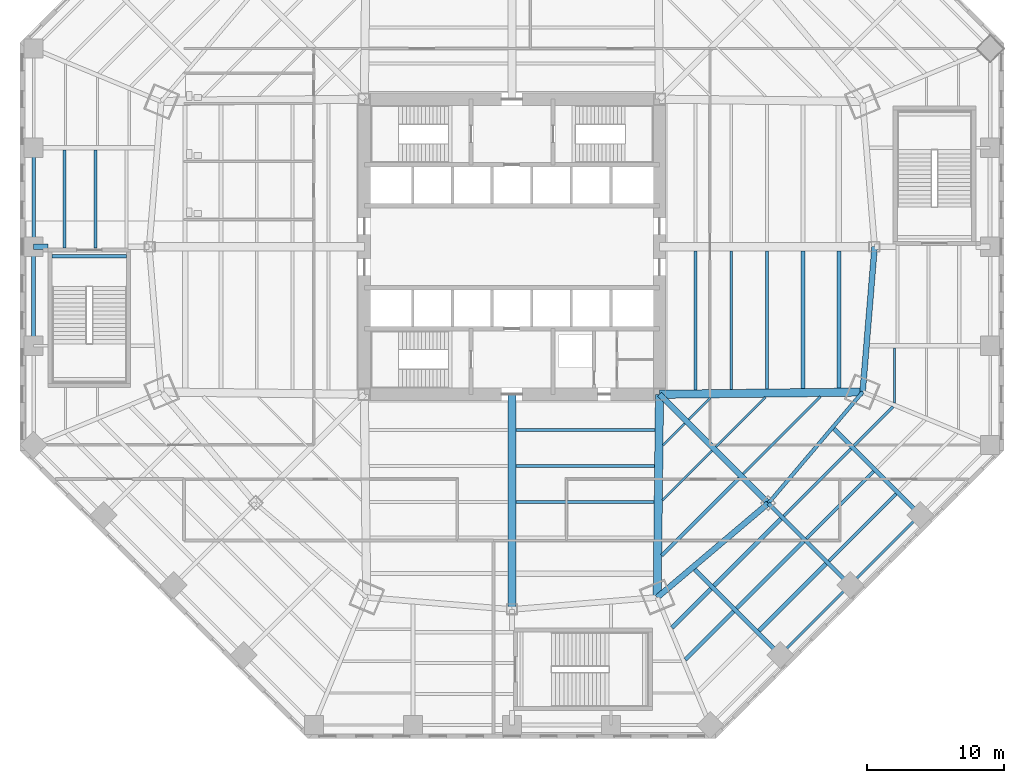
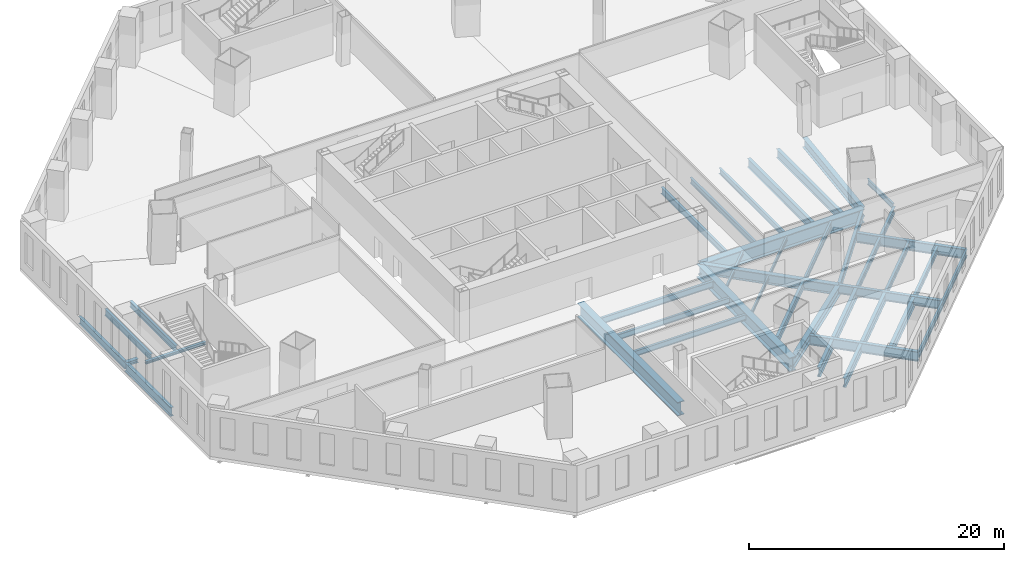
# One storey, part 3 of 19: 41 beams, 1 member.
"""IFC4 building model written with IfcOpenShell, lengths in metres."""

from ifc_helpers import new_model, si_unit, direction, frame, origin, origin_2d, place, context, subcontext, project, spatial, i_section, extrude, source, transform, mapped, material, material_profile, profile_set, type_object, type_shapes, element, save


model = new_model("IFC4")

# Units and contexts
model_context = context("Model", 3, precision=1e-05, world=origin(), true_north=direction((0.0, 1.0)))
body_context = subcontext(model_context, "Body", "Model", "MODEL_VIEW")
ifc_project = project(units=[si_unit("LENGTHUNIT", "METRE"), si_unit("AREAUNIT", "SQUARE_METRE"), si_unit("VOLUMEUNIT", "CUBIC_METRE"), si_unit("PLANEANGLEUNIT", "RADIAN"), si_unit("MASSUNIT", "GRAM", prefix="KILO")], contexts=[model_context])

# Site, building, storey
site_placement = place(None, origin())
site = spatial("IfcSite", under=ifc_project, at=site_placement, CompositionType="ELEMENT")
building_placement = place(site_placement, origin())
building = spatial("IfcBuilding", under=site, at=building_placement, Name="Mashrafa Tower", CompositionType="ELEMENT")
storey_placement = place(building_placement, frame((0.0, 0.0, 24.0)))
storey = spatial("IfcBuildingStorey", under=building, at=storey_placement, Name="L04", CompositionType="ELEMENT", Elevation=24.0)

# Beams
ifc_material_1 = material(Name="Steel ASTM A572 Gr 50", Category="steel")
ifc_material_profile_1 = material_profile(ifc_material_1, i_section(OverallWidth=0.60009765625, OverallDepth=1.300048828125, WebThickness=0.028076171875, FlangeThickness=0.06494140625, at=origin_2d()), Name="H1300X600X28X65")
ifc_profile_set_1 = profile_set([ifc_material_profile_1], Name="Steel ASTM A572 Gr 50")
beam_type_1 = type_object("IfcBeamType", Name="Beam H1300X600X28X65", PredefinedType="BEAM", material=ifc_profile_set_1)
beam_1_placement = place(storey_placement, frame((0.0, -10.800048828125, -0.949951171875), z_axis=(0.0, -1.0, 0.0), x_axis=(1.0, 0.0, 0.0)))
element("IfcBeam", 1, at=beam_1_placement, inside=storey, type_object=beam_type_1, Name="Radial girder L04 216", PredefinedType="BEAM", context=body_context, shape_type="SweptSolid", body=[
    extrude(i_section(OverallWidth=0.60009765625, OverallDepth=1.300048828125, WebThickness=0.028076171875, FlangeThickness=0.06494140625, at=origin_2d()), origin(), (0.0, 0.0, 1.0), 15.744140625),
])
for number, where, z_axis, x_axis, name in (
    (2, (10.800048828125, -10.800048828125, -0.949951171875), (-0.011363835661, -0.999935429535, 0.0), (0.999935429535, -0.011363835661, 0.0), "Radial girder L04 218"),
    (3, (10.800048828125, -10.800048828125, -0.949951171875), (0.999935429535, 0.011363835661, 0.0), (-0.011363835661, 0.999935429535, 0.0), "Radial girder L04 220"),
):
    element("IfcBeam", number, at=place(storey_placement, frame(where, z_axis=z_axis, x_axis=x_axis)), inside=storey, type_object=beam_type_1, Name=name, PredefinedType="BEAM", context=body_context, shape_type="SweptSolid", body=[
        extrude(i_section(OverallWidth=0.60009765625, OverallDepth=1.300048828125, WebThickness=0.028076171875, FlangeThickness=0.06494140625, at=origin_2d()), origin(), (0.0, 0.0, 1.0), 14.866943359375),
    ])
ifc_material_2 = material(Name="Steel ASTM A992", Category="steel")
ifc_material_profile_2 = material_profile(ifc_material_2, i_section(OverallWidth=0.164794921875, OverallDepth=0.309814453125, WebThickness=0.005859375, FlangeThickness=0.009765625, FilletRadius=0.007568359375, at=origin_2d()), Name="W12X26")
ifc_profile_set_2 = profile_set([ifc_material_profile_2], Name="Steel ASTM A992")
beam_type_2 = type_object("IfcBeamType", Name="Beam W12X26", PredefinedType="BEAM", material=ifc_profile_set_2)
for number, where, z_axis, x_axis, name in (
    (4, (12.642333984375, -12.9423828125, -0.454833984375), (-0.707106781187, -0.707106781187, 0.0), (0.707106781187, -0.707106781187, 0.0), "Floor beam L04 083"),
    (5, (14.527099609375, -11.0576171875, -0.454833984375), (-0.707106781187, -0.707106781187, 0.0), (0.707106781187, -0.707106781187, 0.0), "Floor beam L04 091"),
):
    element("IfcBeam", number, at=place(storey_placement, frame(where, z_axis=z_axis, x_axis=x_axis)), inside=storey, type_object=beam_type_2, Name=name, PredefinedType="BEAM", context=body_context, shape_type="SweptSolid", body=[
        extrude(i_section(OverallWidth=0.164794921875, OverallDepth=0.309814453125, WebThickness=0.005859375, FlangeThickness=0.009765625, FilletRadius=0.007568359375, at=origin_2d()), origin(), (0.0, 0.0, 1.0), 2.2412109375),
    ])
ifc_material_3 = material(Name="Steel ASTM A992", Category="steel")
ifc_material_profile_3 = material_profile(ifc_material_3, i_section(OverallWidth=0.140380859375, OverallDepth=0.40380859375, WebThickness=0.007080078125, FlangeThickness=0.01123046875, FilletRadius=0.01025390625, at=origin_2d()), Name="W16X31")
ifc_profile_set_3 = profile_set([ifc_material_profile_3], Name="Steel ASTM A992")
beam_type_3 = type_object("IfcBeamType", Name="Beam W16X31", PredefinedType="BEAM", material=ifc_profile_set_3)
for number, where, z_axis, x_axis, name in (
    (6, (14.634765625, -14.934814453125, -0.501953125), (-0.707106781187, -0.707106781187, 0.0), (0.707106781187, -0.707106781187, 0.0), "Floor beam L04 089"),
    (7, (18.5576171875, -11.011962890625, -0.501953125), (-0.707106781187, -0.707106781187, 0.0), (0.707106781187, -0.707106781187, 0.0), "Floor beam L04 098"),
):
    element("IfcBeam", number, at=place(storey_placement, frame(where, z_axis=z_axis, x_axis=x_axis)), inside=storey, type_object=beam_type_3, Name=name, PredefinedType="BEAM", context=body_context, shape_type="SweptSolid", body=[
        extrude(i_section(OverallWidth=0.140380859375, OverallDepth=0.40380859375, WebThickness=0.007080078125, FlangeThickness=0.01123046875, FilletRadius=0.01025390625, at=origin_2d()), origin(), (0.0, 0.0, 1.0), 5.12353515625),
    ])
ifc_material_4 = material(Name="Steel ASTM A992", Category="steel")
ifc_material_profile_4 = material_profile(ifc_material_4, i_section(OverallWidth=0.1650390625, OverallDepth=0.52587890625, WebThickness=0.0087890625, FlangeThickness=0.011474609375, FilletRadius=0.0126953125, at=origin_2d()), Name="W21X44")
ifc_profile_set_4 = profile_set([ifc_material_profile_4], Name="Steel ASTM A992")
beam_type_4 = type_object("IfcBeamType", Name="Beam W21X44", PredefinedType="BEAM", material=ifc_profile_set_4)
beam_2_placement = place(storey_placement, frame((27.99951171875, -7.40234375, -0.56298828125), z_axis=(0.0, -1.0, 0.0), x_axis=(1.0, 0.0, 0.0)))
element("IfcBeam", 8, at=beam_2_placement, inside=storey, type_object=beam_type_4, Name="Floor beam L04 111", PredefinedType="BEAM", context=body_context, shape_type="SweptSolid", body=[
    extrude(i_section(OverallWidth=0.1650390625, OverallDepth=0.52587890625, WebThickness=0.0087890625, FlangeThickness=0.011474609375, FilletRadius=0.0126953125, at=origin_2d()), origin(), (0.0, 0.0, 1.0), 4.029052734375),
])
ifc_material_5 = material(Name="Steel ASTM A992", Category="steel")
ifc_material_profile_5 = material_profile(ifc_material_5, i_section(OverallWidth=0.209228515625, OverallDepth=0.533447265625, WebThickness=0.01025390625, FlangeThickness=0.015625, FilletRadius=0.012939453125, at=origin_2d()), Name="W21X62")
ifc_profile_set_5 = profile_set([ifc_material_profile_5], Name="Steel ASTM A992")
beam_type_5 = type_object("IfcBeamType", Name="Beam W21X62", PredefinedType="BEAM", material=ifc_profile_set_5)
beam_3_placement = place(storey_placement, frame((10.41064453125, -18.672119140625, -0.566650390625), z_axis=(-1.0, 0.0, 0.0), x_axis=(0.0, -1.0, 0.0)))
element("IfcBeam", 9, at=beam_3_placement, inside=storey, type_object=beam_type_5, Name="Floor beam L04 076", PredefinedType="BEAM", context=body_context, shape_type="SweptSolid", body=[
    extrude(i_section(OverallWidth=0.209228515625, OverallDepth=0.533447265625, WebThickness=0.01025390625, FlangeThickness=0.015625, FilletRadius=0.012939453125, at=origin_2d()), origin(), (0.0, 0.0, 1.0), 10.110595703125),
])
for number, where, z_axis, x_axis, name in (
    (10, (10.4404296875, -16.048095703125, -0.566650390625), (-1.0, 0.0, 0.0), (0.0, -1.0, 0.0), "Floor beam L04 077"),
    (11, (16.048095703125, -0.300048828125, -0.566650390625), (0.0, -1.0, 0.0), (1.0, 0.0, 0.0), "Floor beam L04 092"),
):
    element("IfcBeam", number, at=place(storey_placement, frame(where, z_axis=z_axis, x_axis=x_axis)), inside=storey, type_object=beam_type_5, Name=name, PredefinedType="BEAM", context=body_context, shape_type="SweptSolid", body=[
        extrude(i_section(OverallWidth=0.209228515625, OverallDepth=0.533447265625, WebThickness=0.01025390625, FlangeThickness=0.015625, FilletRadius=0.012939453125, at=origin_2d()), origin(), (0.0, 0.0, 1.0), 10.140380859375),
    ])
beam_4_placement = place(storey_placement, frame((18.672119140625, -0.300048828125, -0.566650390625), z_axis=(0.0, -1.0, 0.0), x_axis=(1.0, 0.0, 0.0)))
element("IfcBeam", 12, at=beam_4_placement, inside=storey, type_object=beam_type_5, Name="Floor beam L04 096", PredefinedType="BEAM", context=body_context, shape_type="SweptSolid", body=[
    extrude(i_section(OverallWidth=0.209228515625, OverallDepth=0.533447265625, WebThickness=0.01025390625, FlangeThickness=0.015625, FilletRadius=0.012939453125, at=origin_2d()), origin(), (0.0, 0.0, 1.0), 10.110595703125),
])
ifc_material_6 = material(Name="Steel ASTM A992", Category="steel")
ifc_material_profile_6 = material_profile(ifc_material_6, i_section(OverallWidth=0.177978515625, OverallDepth=0.599365234375, WebThickness=0.010009765625, FlangeThickness=0.012939453125, FilletRadius=0.012939453125, at=origin_2d()), Name="W24X55")
ifc_profile_set_6 = profile_set([ifc_material_profile_6], Name="Steel ASTM A992")
beam_type_6 = type_object("IfcBeamType", Name="Beam W24X55", PredefinedType="BEAM", material=ifc_profile_set_6)
beam_5_placement = place(storey_placement, frame((22.588134765625, -10.96630859375, -0.599609375), z_axis=(-0.707106781187, -0.707106781187, 0.0), x_axis=(0.707106781187, -0.707106781187, 0.0)))
element("IfcBeam", 13, at=beam_5_placement, inside=storey, type_object=beam_type_6, Name="Floor beam L04 105", PredefinedType="BEAM", context=body_context, shape_type="SweptSolid", body=[
    extrude(i_section(OverallWidth=0.177978515625, OverallDepth=0.599365234375, WebThickness=0.010009765625, FlangeThickness=0.012939453125, FilletRadius=0.012939453125, at=origin_2d()), origin(), (0.0, 0.0, 1.0), 8.005615234375),
])
for number, where, z_axis, x_axis, name in (
    (14, (19.623046875, -29.87451171875, -0.599609375), (0.707106781187, 0.707106781187, 0.0), (-0.707106781187, 0.707106781187, 0.0), "Podium edge beam L04 142"),
    (15, (24.748779296875, -24.748779296875, -0.599609375), (0.707106781187, 0.707106781187, 0.0), (-0.707106781187, 0.707106781187, 0.0), "Podium edge beam L04 144"),
):
    element("IfcBeam", number, at=place(storey_placement, frame(where, z_axis=z_axis, x_axis=x_axis)), inside=storey, type_object=beam_type_6, Name=name, PredefinedType="BEAM", context=body_context, shape_type="SweptSolid", body=[
        extrude(i_section(OverallWidth=0.177978515625, OverallDepth=0.599365234375, WebThickness=0.010009765625, FlangeThickness=0.012939453125, FilletRadius=0.012939453125, at=origin_2d()), origin(), (0.0, 0.0, 1.0), 7.248779296875),
    ])
ifc_material_7 = material(Name="Steel ASTM A992", Category="steel")
ifc_material_profile_7 = material_profile(ifc_material_7, i_section(OverallWidth=0.227783203125, OverallDepth=0.60205078125, WebThickness=0.010498046875, FlangeThickness=0.014892578125, FilletRadius=0.012939453125, at=origin_2d()), Name="W24X68")
ifc_profile_set_7 = profile_set([ifc_material_profile_7], Name="Steel ASTM A992")
beam_type_7 = type_object("IfcBeamType", Name="Beam W24X68", PredefinedType="BEAM", material=ifc_profile_set_7)
for number, where, z_axis, x_axis, name in (
    (16, (-32.736328125, -0.10009765625, -0.60107421875), (0.0, 1.0, 0.0), (-1.0, 0.0, 0.0), "Floor beam L04 001"),
    (17, (-30.472900390625, -0.10009765625, -0.60107421875), (0.0, 1.0, 0.0), (-1.0, 0.0, 0.0), "Floor beam L04 005"),
):
    element("IfcBeam", number, at=place(storey_placement, frame(where, z_axis=z_axis, x_axis=x_axis)), inside=storey, type_object=beam_type_7, Name=name, PredefinedType="BEAM", context=body_context, shape_type="SweptSolid", body=[
        extrude(i_section(OverallWidth=0.227783203125, OverallDepth=0.60205078125, WebThickness=0.010498046875, FlangeThickness=0.014892578125, FilletRadius=0.012939453125, at=origin_2d()), origin(), (0.0, 0.0, 1.0), 7.195068359375),
    ])
beam_6_placement = place(storey_placement, frame((26.465576171875, -16.431640625, -0.60107421875), z_axis=(-0.707089214407, -0.707124347529, 0.0), x_axis=(0.707124347529, -0.707089214407, 0.0)))
element("IfcBeam", 18, at=beam_6_placement, inside=storey, type_object=beam_type_7, Name="Floor beam L04 113 part 2", PredefinedType="BEAM", context=body_context, shape_type="SweptSolid", body=[
    extrude(i_section(OverallWidth=0.227783203125, OverallDepth=0.60205078125, WebThickness=0.010498046875, FlangeThickness=0.014892578125, FilletRadius=0.012939453125, at=origin_2d()), origin(), (0.0, 0.0, 1.0), 6.948974609375),
])
ifc_material_8 = material(Name="Steel ASTM A992", Category="steel")
ifc_material_profile_8 = material_profile(ifc_material_8, i_section(OverallWidth=0.228271484375, OverallDepth=0.607177734375, WebThickness=0.01123046875, FlangeThickness=0.017333984375, FilletRadius=0.0126953125, at=origin_2d()), Name="W24X76")
ifc_profile_set_8 = profile_set([ifc_material_profile_8], Name="Steel ASTM A992")
beam_type_8 = type_object("IfcBeamType", Name="Beam W24X76", PredefinedType="BEAM", material=ifc_profile_set_8)
for number, where, z_axis, x_axis, name in (
    (19, (10.47021484375, -13.424072265625, -0.603515625), (-1.0, 0.0, 0.0), (0.0, -1.0, 0.0), "Floor beam L04 079"),
    (20, (13.424072265625, -0.300048828125, -0.603515625), (0.0, -1.0, 0.0), (1.0, 0.0, 0.0), "Floor beam L04 085"),
):
    element("IfcBeam", number, at=place(storey_placement, frame(where, z_axis=z_axis, x_axis=x_axis)), inside=storey, type_object=beam_type_8, Name=name, PredefinedType="BEAM", context=body_context, shape_type="SweptSolid", body=[
        extrude(i_section(OverallWidth=0.228271484375, OverallDepth=0.607177734375, WebThickness=0.01123046875, FlangeThickness=0.017333984375, FilletRadius=0.0126953125, at=origin_2d()), origin(), (0.0, 0.0, 1.0), 10.170166015625),
    ])
beam_7_placement = place(storey_placement, frame((28.11572265625, -18.081787109375, -0.603515625), z_axis=(-0.707124347529, -0.707089214407, 0.0), x_axis=(0.707089214407, -0.707124347529, 0.0)))
element("IfcBeam", 21, at=beam_7_placement, inside=storey, type_object=beam_type_8, Name="Floor beam L04 117 part 2", PredefinedType="BEAM", context=body_context, shape_type="SweptSolid", body=[
    extrude(i_section(OverallWidth=0.228271484375, OverallDepth=0.607177734375, WebThickness=0.01123046875, FlangeThickness=0.017333984375, FilletRadius=0.0126953125, at=origin_2d()), origin(), (0.0, 0.0, 1.0), 6.948974609375),
])
ifc_material_9 = material(Name="Steel ASTM A992", Category="steel")
ifc_material_profile_9 = material_profile(ifc_material_9, i_section(OverallWidth=0.22900390625, OverallDepth=0.612060546875, WebThickness=0.011962890625, FlangeThickness=0.01953125, FilletRadius=0.0126953125, at=origin_2d()), Name="W24X84")
ifc_profile_set_9 = profile_set([ifc_material_profile_9], Name="Steel ASTM A992")
beam_type_9 = type_object("IfcBeamType", Name="Beam W24X84", PredefinedType="BEAM", material=ifc_profile_set_9)
beam_8_placement = place(storey_placement, frame((27.882080078125, -11.71533203125, -0.60595703125), z_axis=(-0.707106781187, -0.707106781187, 0.0), x_axis=(0.707106781187, -0.707106781187, 0.0)))
element("IfcBeam", 22, at=beam_8_placement, inside=storey, type_object=beam_type_9, Name="Floor beam L04 110 part 1", PredefinedType="BEAM", context=body_context, shape_type="SweptSolid", body=[
    extrude(i_section(OverallWidth=0.22900390625, OverallDepth=0.612060546875, WebThickness=0.011962890625, FlangeThickness=0.01953125, FilletRadius=0.0126953125, at=origin_2d()), origin(), (0.0, 0.0, 1.0), 4.02880859375),
])
beam_9_placement = place(storey_placement, frame((24.815673828125, -14.78173828125, -0.60595703125), z_axis=(-0.707106781187, -0.707106781187, 0.0), x_axis=(0.707106781187, -0.707106781187, 0.0)))
element("IfcBeam", 23, at=beam_9_placement, inside=storey, type_object=beam_type_9, Name="Floor beam L04 110 part 2", PredefinedType="BEAM", context=body_context, shape_type="SweptSolid", body=[
    extrude(i_section(OverallWidth=0.22900390625, OverallDepth=0.612060546875, WebThickness=0.011962890625, FlangeThickness=0.01953125, FilletRadius=0.0126953125, at=origin_2d()), origin(), (0.0, 0.0, 1.0), 6.94873046875),
])
ifc_material_10 = material(Name="Steel ASTM A992", Category="steel")
ifc_material_profile_10 = material_profile(ifc_material_10, i_section(OverallWidth=0.256591796875, OverallDepth=0.693359375, WebThickness=0.014404296875, FlangeThickness=0.023681640625, FilletRadius=0.01513671875, at=origin_2d()), Name="W27X114")
ifc_profile_set_10 = profile_set([ifc_material_profile_10], Name="Steel ASTM A992")
beam_type_10 = type_object("IfcBeamType", Name="Beam W27X114", PredefinedType="BEAM", material=ifc_profile_set_10)
beam_10_placement = place(storey_placement, frame((16.627197265625, -16.92724609375, -0.646728515625), z_axis=(-0.707106781187, -0.707106781187, 0.0), x_axis=(0.707106781187, -0.707106781187, 0.0)))
element("IfcBeam", 24, at=beam_10_placement, inside=storey, type_object=beam_type_10, Name="Floor beam L04 094", PredefinedType="BEAM", context=body_context, shape_type="SweptSolid", body=[
    extrude(i_section(OverallWidth=0.256591796875, OverallDepth=0.693359375, WebThickness=0.014404296875, FlangeThickness=0.023681640625, FilletRadius=0.01513671875, at=origin_2d()), origin(), (0.0, 0.0, 1.0), 8.005615234375),
])
ifc_material_11 = material(Name="Steel ASTM A992", Category="steel")
ifc_material_profile_11 = material_profile(ifc_material_11, i_section(OverallWidth=0.25390625, OverallDepth=0.683349609375, WebThickness=0.012451171875, FlangeThickness=0.01904296875, FilletRadius=0.01513671875, at=origin_2d()), Name="W27X94")
ifc_profile_set_11 = profile_set([ifc_material_profile_11], Name="Steel ASTM A992")
beam_type_11 = type_object("IfcBeamType", Name="Beam W27X94", PredefinedType="BEAM", material=ifc_profile_set_11)
beam_11_placement = place(storey_placement, frame((-35.0, 7.248779296875, -0.6416015625), z_axis=(0.0, -1.0, 0.0), x_axis=(1.0, 0.0, 0.0)))
element("IfcBeam", 25, at=beam_11_placement, inside=storey, type_object=beam_type_11, Name="Podium edge beam L04 124", PredefinedType="BEAM", context=body_context, shape_type="SweptSolid", body=[
    extrude(i_section(OverallWidth=0.25390625, OverallDepth=0.683349609375, WebThickness=0.012451171875, FlangeThickness=0.01904296875, FilletRadius=0.01513671875, at=origin_2d()), origin(), (0.0, 0.0, 1.0), 7.248779296875),
])
ifc_material_12 = material(Name="Steel ASTM A992", Category="steel")
ifc_material_profile_12 = material_profile(ifc_material_12, i_section(OverallWidth=0.2666015625, OverallDepth=0.75439453125, WebThickness=0.01318359375, FlangeThickness=0.01708984375, FilletRadius=0.0166015625, at=origin_2d()), Name="W30X99")
ifc_profile_set_12 = profile_set([ifc_material_profile_12], Name="Steel ASTM A992")
beam_type_12 = type_object("IfcBeamType", Name="Beam W30X99", PredefinedType="BEAM", material=ifc_profile_set_12)
beam_12_placement = place(storey_placement, frame((18.76953125, -18.76953125, -0.67724609375), z_axis=(0.646495054793, 0.762918176562, 0.0), x_axis=(-0.762918176562, 0.646495054793, 0.0)))
element("IfcBeam", 26, at=beam_12_placement, inside=storey, type_object=beam_type_12, Name="Podium ring girder L04 204", PredefinedType="BEAM", context=body_context, shape_type="SweptSolid", body=[
    extrude(i_section(OverallWidth=0.2666015625, OverallDepth=0.75439453125, WebThickness=0.01318359375, FlangeThickness=0.01708984375, FilletRadius=0.0166015625, at=origin_2d()), origin(), (0.0, 0.0, 1.0), 10.66748046875),
])
ifc_material_13 = material(Name="Steel ASTM A992", Category="steel")
ifc_material_profile_13 = material_profile(ifc_material_13, i_section(OverallWidth=0.2919921875, OverallDepth=0.8408203125, WebThickness=0.0146484375, FlangeThickness=0.021728515625, FilletRadius=0.017333984375, at=origin_2d()), Name="W33X130")
ifc_profile_set_13 = profile_set([ifc_material_profile_13], Name="Steel ASTM A992")
beam_type_13 = type_object("IfcBeamType", Name="Beam W33X130", PredefinedType="BEAM", material=ifc_profile_set_13)
beam_13_placement = place(storey_placement, frame((21.296142578125, -0.300048828125, -0.720458984375), z_axis=(0.0, -1.0, 0.0), x_axis=(1.0, 0.0, 0.0)))
element("IfcBeam", 27, at=beam_13_placement, inside=storey, type_object=beam_type_13, Name="Floor beam L04 101", PredefinedType="BEAM", context=body_context, shape_type="SweptSolid", body=[
    extrude(i_section(OverallWidth=0.2919921875, OverallDepth=0.8408203125, WebThickness=0.0146484375, FlangeThickness=0.021728515625, FilletRadius=0.017333984375, at=origin_2d()), origin(), (0.0, 0.0, 1.0), 10.080810546875),
])
ifc_material_14 = material(Name="Steel ASTM A992", Category="steel")
ifc_material_profile_14 = material_profile(ifc_material_14, i_section(OverallWidth=0.2919921875, OverallDepth=0.845703125, WebThickness=0.015380859375, FlangeThickness=0.0244140625, FilletRadius=0.017333984375, at=origin_2d()), Name="W33X141")
ifc_profile_set_14 = profile_set([ifc_material_profile_14], Name="Steel ASTM A992")
beam_type_14 = type_object("IfcBeamType", Name="Beam W33X141", PredefinedType="BEAM", material=ifc_profile_set_14)
beam_14_placement = place(storey_placement, frame((21.345458984375, -21.552001953125, -0.722900390625), z_axis=(-0.707124347529, -0.707089214407, 0.0), x_axis=(0.707089214407, -0.707124347529, 0.0)))
element("IfcBeam", 28, at=beam_14_placement, inside=storey, type_object=beam_type_14, Name="Floor beam L04 103 part 1", PredefinedType="BEAM", context=body_context, shape_type="SweptSolid", body=[
    extrude(i_section(OverallWidth=0.2919921875, OverallDepth=0.845703125, WebThickness=0.015380859375, FlangeThickness=0.0244140625, FilletRadius=0.017333984375, at=origin_2d()), origin(), (0.0, 0.0, 1.0), 6.948974609375),
])
beam_15_placement = place(storey_placement, frame((16.21435546875, -26.68310546875, -0.722900390625), z_axis=(-0.707131216842, -0.707082344687, 0.0), x_axis=(0.707082344687, -0.707131216842, 0.0)))
element("IfcBeam", 29, at=beam_15_placement, inside=storey, type_object=beam_type_14, Name="Floor beam L04 103 part 2", PredefinedType="BEAM", context=body_context, shape_type="SweptSolid", body=[
    extrude(i_section(OverallWidth=0.2919921875, OverallDepth=0.845703125, WebThickness=0.015380859375, FlangeThickness=0.0244140625, FilletRadius=0.017333984375, at=origin_2d()), origin(), (0.0, 0.0, 1.0), 4.99560546875),
])
beam_16_placement = place(storey_placement, frame((23.92041015625, -0.300048828125, -0.722900390625), z_axis=(0.0, -1.0, 0.0), x_axis=(1.0, 0.0, 0.0)))
element("IfcBeam", 30, at=beam_16_placement, inside=storey, type_object=beam_type_14, Name="Floor beam L04 108", PredefinedType="BEAM", context=body_context, shape_type="SweptSolid", body=[
    extrude(i_section(OverallWidth=0.2919921875, OverallDepth=0.845703125, WebThickness=0.015380859375, FlangeThickness=0.0244140625, FilletRadius=0.017333984375, at=origin_2d()), origin(), (0.0, 0.0, 1.0), 10.051025390625),
])
beam_17_placement = place(storey_placement, frame((-35.0, 0.0, -0.722900390625), z_axis=(0.0, -1.0, 0.0), x_axis=(1.0, 0.0, 0.0)))
element("IfcBeam", 31, at=beam_17_placement, inside=storey, type_object=beam_type_14, Name="Podium edge beam L04 123", PredefinedType="BEAM", context=body_context, shape_type="SweptSolid", body=[
    extrude(i_section(OverallWidth=0.2919921875, OverallDepth=0.845703125, WebThickness=0.015380859375, FlangeThickness=0.0244140625, FilletRadius=0.017333984375, at=origin_2d()), origin(), (0.0, 0.0, 1.0), 7.248779296875),
])
ifc_material_15 = material(Name="Steel ASTM A992", Category="steel")
ifc_material_profile_15 = material_profile(ifc_material_15, i_section(OverallWidth=0.2919921875, OverallDepth=0.8583984375, WebThickness=0.01708984375, FlangeThickness=0.031005859375, FilletRadius=0.017822265625, at=origin_2d()), Name="W33X169")
ifc_profile_set_15 = profile_set([ifc_material_profile_15], Name="Steel ASTM A992")
beam_type_15 = type_object("IfcBeamType", Name="Beam W33X169", PredefinedType="BEAM", material=ifc_profile_set_15)
beam_18_placement = place(storey_placement, frame((18.76953125, -18.76953125, -0.729248046875), z_axis=(0.707106781187, -0.707106781187, 0.0), x_axis=(0.707106781187, 0.707106781187, 0.0)))
element("IfcBeam", 32, at=beam_18_placement, inside=storey, type_object=beam_type_15, Name="Podium radial beam L04 182", PredefinedType="BEAM", context=body_context, shape_type="SweptSolid", body=[
    extrude(i_section(OverallWidth=0.2919921875, OverallDepth=0.8583984375, WebThickness=0.01708984375, FlangeThickness=0.031005859375, FilletRadius=0.017822265625, at=origin_2d()), origin(), (0.0, 0.0, 1.0), 8.4560546875),
])
ifc_material_16 = material(Name="Steel ASTM A992", Category="steel")
ifc_material_profile_16 = material_profile(ifc_material_16, i_section(OverallWidth=0.3046875, OverallDepth=0.911865234375, WebThickness=0.015869140625, FlangeThickness=0.02392578125, FilletRadius=0.01904296875, at=origin_2d()), Name="W36X150")
ifc_profile_set_16 = profile_set([ifc_material_profile_16], Name="Steel ASTM A992")
beam_type_16 = type_object("IfcBeamType", Name="Beam W36X150", PredefinedType="BEAM", material=ifc_profile_set_16)
beam_19_placement = place(storey_placement, frame((19.6953125, -19.902099609375, -0.755859375), z_axis=(-0.707106781187, -0.707106781187, 0.0), x_axis=(0.707106781187, -0.707106781187, 0.0)))
element("IfcBeam", 33, at=beam_19_placement, inside=storey, type_object=beam_type_16, Name="Floor beam L04 099 part 1", PredefinedType="BEAM", context=body_context, shape_type="SweptSolid", body=[
    extrude(i_section(OverallWidth=0.3046875, OverallDepth=0.911865234375, WebThickness=0.015869140625, FlangeThickness=0.02392578125, FilletRadius=0.01904296875, at=origin_2d()), origin(), (0.0, 0.0, 1.0), 6.94873046875),
])
beam_20_placement = place(storey_placement, frame((14.564208984375, -25.033203125, -0.755859375), z_axis=(-0.707106781187, -0.707106781187, 0.0), x_axis=(0.707106781187, -0.707106781187, 0.0)))
element("IfcBeam", 34, at=beam_20_placement, inside=storey, type_object=beam_type_16, Name="Floor beam L04 099 part 2", PredefinedType="BEAM", context=body_context, shape_type="SweptSolid", body=[
    extrude(i_section(OverallWidth=0.3046875, OverallDepth=0.911865234375, WebThickness=0.015869140625, FlangeThickness=0.02392578125, FilletRadius=0.01904296875, at=origin_2d()), origin(), (0.0, 0.0, 1.0), 4.02880859375),
])
beam_21_placement = place(storey_placement, frame((22.995361328125, -23.201904296875, -0.755859375), z_axis=(-0.707089214407, -0.707124347529, 0.0), x_axis=(0.707124347529, -0.707089214407, 0.0)))
element("IfcBeam", 35, at=beam_21_placement, inside=storey, type_object=beam_type_16, Name="Floor beam L04 106 part 1", PredefinedType="BEAM", context=body_context, shape_type="SweptSolid", body=[
    extrude(i_section(OverallWidth=0.3046875, OverallDepth=0.911865234375, WebThickness=0.015869140625, FlangeThickness=0.02392578125, FilletRadius=0.01904296875, at=origin_2d()), origin(), (0.0, 0.0, 1.0), 6.948974609375),
])
ifc_material_17 = material(Name="Steel ASTM A992", Category="steel")
ifc_material_profile_17 = material_profile(ifc_material_17, i_section(OverallWidth=0.307373046875, OverallDepth=0.927001953125, WebThickness=0.01953125, FlangeThickness=0.031982421875, FilletRadius=0.01904296875, at=origin_2d()), Name="W36X194")
ifc_profile_set_17 = profile_set([ifc_material_profile_17], Name="Steel ASTM A992")
beam_type_17 = type_object("IfcBeamType", Name="Beam W36X194", PredefinedType="BEAM", material=ifc_profile_set_17)
beam_22_placement = place(storey_placement, frame((13.369384765625, -23.62060546875, -0.763671875), z_axis=(0.707092978729, -0.707120583374, 0.0), x_axis=(0.707120583374, 0.707092978729, 0.0)))
element("IfcBeam", 36, at=beam_22_placement, inside=storey, type_object=beam_type_17, Name="Podium radial beam L04 180", PredefinedType="BEAM", context=body_context, shape_type="SweptSolid", body=[
    extrude(i_section(OverallWidth=0.307373046875, OverallDepth=0.927001953125, WebThickness=0.01953125, FlangeThickness=0.031982421875, FilletRadius=0.01904296875, at=origin_2d()), origin(), (0.0, 0.0, 1.0), 8.84423828125),
])
beam_23_placement = place(storey_placement, frame((23.56640625, -13.315185546875, -0.763671875), z_axis=(0.707120464785, -0.707093097324, 0.0), x_axis=(0.707093097324, 0.707120464785, 0.0)))
element("IfcBeam", 37, at=beam_23_placement, inside=storey, type_object=beam_type_17, Name="Podium radial beam L04 184", PredefinedType="BEAM", context=body_context, shape_type="SweptSolid", body=[
    extrude(i_section(OverallWidth=0.307373046875, OverallDepth=0.927001953125, WebThickness=0.01953125, FlangeThickness=0.031982421875, FilletRadius=0.01904296875, at=origin_2d()), origin(), (0.0, 0.0, 1.0), 8.9208984375),
])
ifc_material_18 = material(Name="Steel ASTM A992", Category="steel")
ifc_material_profile_18 = material_profile(ifc_material_18, i_section(OverallWidth=0.419189453125, OverallDepth=0.927001953125, WebThickness=0.019287109375, FlangeThickness=0.031982421875, FilletRadius=0.020263671875, at=origin_2d()), Name="W36X231")
ifc_profile_set_18 = profile_set([ifc_material_profile_18], Name="Steel ASTM A992")
beam_type_18 = type_object("IfcBeamType", Name="Beam W36X231", PredefinedType="BEAM", material=ifc_profile_set_18)
beam_24_placement = place(storey_placement, frame((10.631103515625, -25.666015625, -0.763671875), z_axis=(0.762918176562, 0.646495054793, 0.0), x_axis=(-0.646495054793, 0.762918176562, 0.0)))
element("IfcBeam", 38, at=beam_24_placement, inside=storey, type_object=beam_type_18, Name="Podium ring girder L04 202", PredefinedType="BEAM", context=body_context, shape_type="SweptSolid", body=[
    extrude(i_section(OverallWidth=0.419189453125, OverallDepth=0.927001953125, WebThickness=0.019287109375, FlangeThickness=0.031982421875, FilletRadius=0.020263671875, at=origin_2d()), origin(), (0.0, 0.0, 1.0), 10.66748046875),
])
beam_25_placement = place(storey_placement, frame((25.666015625, -10.631103515625, -0.763671875), z_axis=(0.082323813652, 0.996605633993, 0.0), x_axis=(-0.996605633993, 0.082323813652, 0.0)))
element("IfcBeam", 39, at=beam_25_placement, inside=storey, type_object=beam_type_18, Name="Podium ring girder L04 206", PredefinedType="BEAM", context=body_context, shape_type="SweptSolid", body=[
    extrude(i_section(OverallWidth=0.419189453125, OverallDepth=0.927001953125, WebThickness=0.019287109375, FlangeThickness=0.031982421875, FilletRadius=0.020263671875, at=origin_2d()), origin(), (0.0, 0.0, 1.0), 10.667236328125),
])
ifc_material_19 = material(Name="Steel ASTM A992", Category="steel")
ifc_material_profile_19 = material_profile(ifc_material_19, i_section(OverallWidth=0.424072265625, OverallDepth=0.960205078125, WebThickness=0.028564453125, FlangeThickness=0.051025390625, FilletRadius=0.02001953125, at=origin_2d()), Name="W36X361")
ifc_profile_set_19 = profile_set([ifc_material_profile_19], Name="Steel ASTM A992")
beam_type_19 = type_object("IfcBeamType", Name="Beam W36X361", PredefinedType="BEAM", material=ifc_profile_set_19)
beam_26_placement = place(storey_placement, frame((10.800048828125, -10.800048828125, -0.780029296875), z_axis=(0.707106781187, -0.707106781187, 0.0), x_axis=(0.707106781187, 0.707106781187, 0.0)))
element("IfcBeam", 40, at=beam_26_placement, inside=storey, type_object=beam_type_19, Name="Radial girder L04 219", PredefinedType="BEAM", context=body_context, shape_type="SweptSolid", body=[
    extrude(i_section(OverallWidth=0.424072265625, OverallDepth=0.960205078125, WebThickness=0.028564453125, FlangeThickness=0.051025390625, FilletRadius=0.02001953125, at=origin_2d()), origin(), (0.0, 0.0, 1.0), 11.2705078125),
])
ifc_material_20 = material(Name="Steel ASTM A992", Category="steel")
ifc_material_profile_20 = material_profile(ifc_material_20, i_section(OverallWidth=0.25390625, OverallDepth=0.25390625, WebThickness=0.008544921875, FlangeThickness=0.01416015625, FilletRadius=0.010009765625, at=origin_2d()), Name="W10X49")
ifc_profile_set_20 = profile_set([ifc_material_profile_20], Name="Steel ASTM A992")
beam_type_20 = type_object("IfcBeamType", Name="Hoistway beam W10X49", PredefinedType="BEAM", material=ifc_profile_set_20)
beam_27_placement = place(storey_placement, frame((-33.64990234375, -0.699951171875, -0.427001953125), z_axis=(1.0, 0.0, 0.0), x_axis=(0.0, 1.0, 0.0)))
element("IfcBeam", 41, at=beam_27_placement, inside=storey, type_object=beam_type_20, Name="Stair P3 landing beam L04", PredefinedType="BEAM", context=body_context, shape_type="SweptSolid", body=[
    extrude(i_section(OverallWidth=0.25390625, OverallDepth=0.25390625, WebThickness=0.008544921875, FlangeThickness=0.01416015625, FilletRadius=0.010009765625, at=origin_2d()), origin(), (0.0, 0.0, 1.0), 5.449951171875),
])

# Member
ifc_material_21 = material(Name="Steel ASTM A992", Category="steel")
ifc_material_profile_21 = material_profile(ifc_material_21, i_section(OverallWidth=0.368408203125, OverallDepth=0.355712890625, WebThickness=0.01123046875, FlangeThickness=0.01806640625, FilletRadius=0.01513671875, at=origin_2d()), Name="W14X90")
ifc_profile_set_21 = profile_set([ifc_material_profile_21], Name="Steel ASTM A992")
member_type = type_object("IfcMemberType", Name="Tie strut W14X90", PredefinedType="STRUT", material=ifc_profile_set_21)
shared_shape = source(origin(), body_context, "Body", "SweptSolid", [
    extrude(i_section(OverallWidth=0.368408203125, OverallDepth=0.355712890625, WebThickness=0.01123046875, FlangeThickness=0.01806640625, FilletRadius=0.01513671875, at=origin_2d()), origin(), (0.0, 0.0, 1.0), 1.050048828125),
])
type_shapes(member_type, [shared_shape])
member_placement = place(storey_placement, frame((-33.949951171875, 0.0, -0.477783203125), z_axis=(-1.0, 0.0, 0.0), x_axis=(0.0, -1.0, 0.0)))
element("IfcMember", 42, at=member_placement, inside=storey, type_object=member_type, Name="Tie strut L04 154", PredefinedType="STRUT", context=body_context, shape_type="MappedRepresentation", body=[
    mapped(shared_shape, transform((0.0, 0.0, 0.0))),
])

save(model, "model.ifc")
